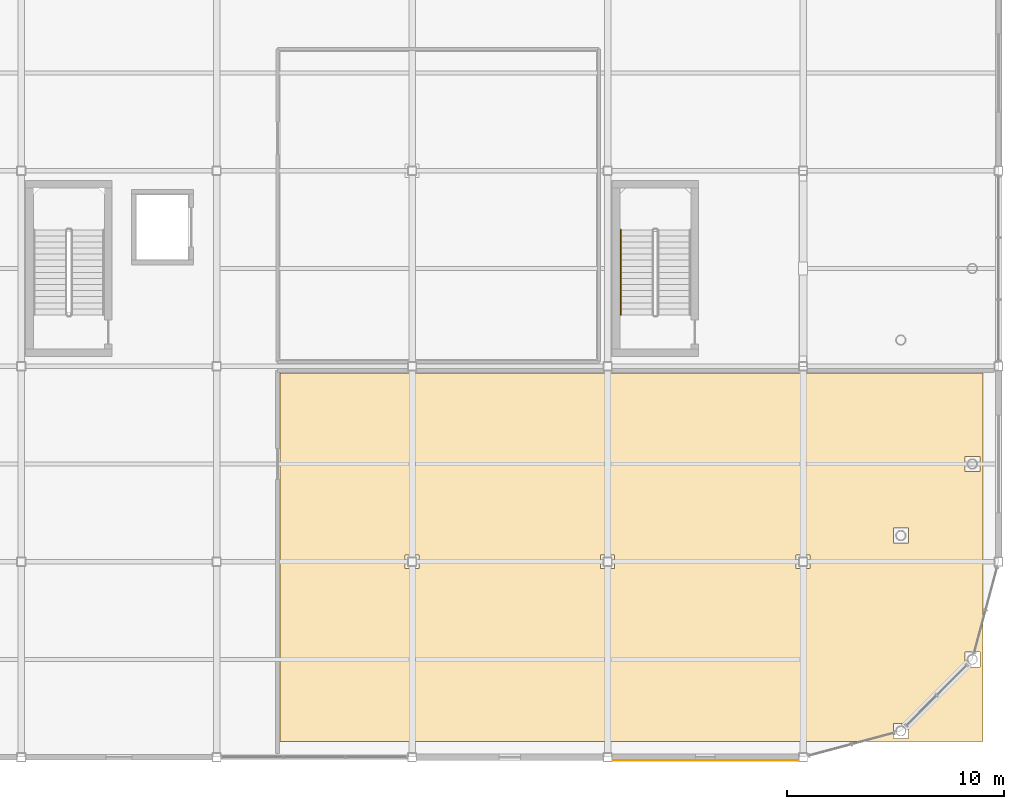
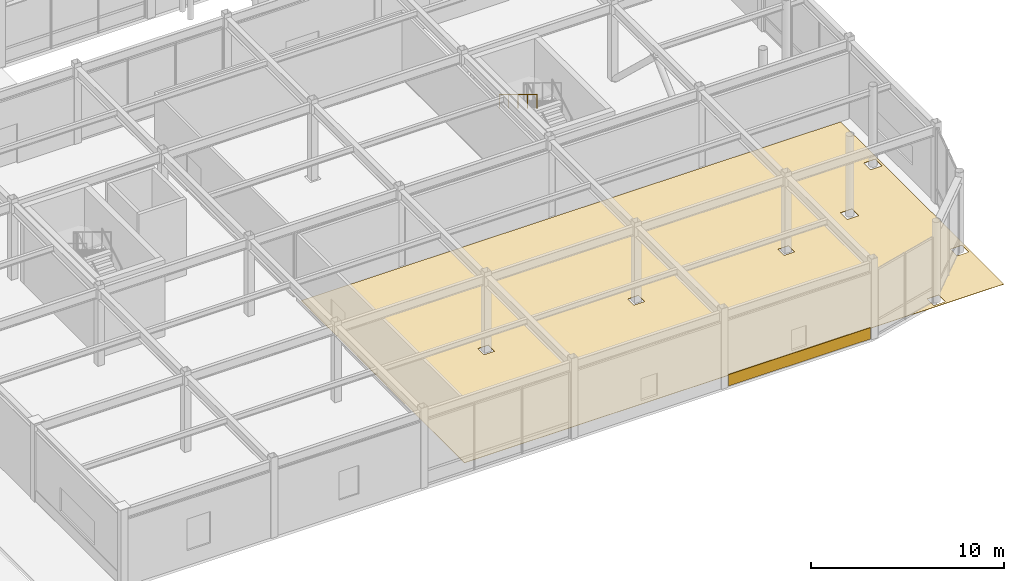
# One storey, part 117 of 123: 2 coverings, 1 railing.
"""IFC4 building model written with IfcOpenShell, lengths in metres."""

from ifc_helpers import new_model, si_unit, direction, frame, origin, origin_2d, place, context, subcontext, project, spatial, polyline, rectangle, circle, outline, extrude, material, layer, layer_set, type_object, element, save


model = new_model("IFC4")

# Units and contexts
model_context = context("Model", 3, precision=1e-05, world=origin(), true_north=direction((0.0, 1.0)))
body_context = subcontext(model_context, "Body", "Model", "MODEL_VIEW")
ifc_project = project(units=[si_unit("LENGTHUNIT", "METRE"), si_unit("AREAUNIT", "SQUARE_METRE"), si_unit("VOLUMEUNIT", "CUBIC_METRE"), si_unit("PLANEANGLEUNIT", "RADIAN"), si_unit("MASSUNIT", "GRAM", prefix="KILO")], contexts=[model_context])

# Site, building, storey
site_placement = place(None, origin())
site = spatial("IfcSite", under=ifc_project, at=site_placement, CompositionType="ELEMENT")
building_placement = place(site_placement, origin())
building = spatial("IfcBuilding", under=site, at=building_placement, Name="Suzunagisa Mobility Hub", CompositionType="ELEMENT")
storey_placement = place(building_placement, origin())
storey = spatial("IfcBuildingStorey", under=building, at=storey_placement, Name="L00", CompositionType="ELEMENT", Elevation=0.0)

# Coverings
ifc_material_1 = material(Name="Polished Aggregate Terrazzo Finish")
ifc_layer_1 = layer(ifc_material_1, 0.02001953125)
ifc_layer_set_1 = layer_set([ifc_layer_1], Name="Polished Aggregate Terrazzo Finish")
covering_type_1 = type_object("IfcCoveringType", Name="Polished Terrazzo Heavy-Traffic Flooring FLR-01", PredefinedType="FLOORING", material=ifc_layer_set_1)
covering_1_placement = place(storey_placement, origin())
element("IfcCovering", 1, at=covering_1_placement, inside=storey, type_object=covering_type_1, Name="L00 Articulated Bus Inspection and Service Bay South Terrazzo Flooring", PredefinedType="FLOORING", context=body_context, shape_type="SweptSolid", body=[
    extrude(outline(polyline([(179.280029296875, 0.719970703125), (146.919921875, 0.719970703125), (146.919921875, 17.679931640625), (152.679931640625, 17.679931640625), (153.320068359375, 17.679931640625), (161.679931640625, 17.679931640625), (162.320068359375, 17.679931640625), (170.679931640625, 17.679931640625), (171.320068359375, 17.679931640625), (179.280029296875, 17.679931640625), (179.280029296875, 0.719970703125)]), holes=[polyline([(153.320068359375, 9.320068359375), (152.679931640625, 9.320068359375), (152.679931640625, 8.679931640625), (153.320068359375, 8.679931640625), (153.320068359375, 9.320068359375)]), polyline([(161.679931640625, 8.679931640625), (162.320068359375, 8.679931640625), (162.320068359375, 9.320068359375), (161.679931640625, 9.320068359375), (161.679931640625, 8.679931640625)]), polyline([(171.320068359375, 9.320068359375), (170.679931640625, 9.320068359375), (170.679931640625, 8.679931640625), (171.320068359375, 8.679931640625), (171.320068359375, 9.320068359375)]), polyline([(175.1513671875, 0.857177734375), (175.8486328125, 0.857177734375), (175.8486328125, 1.554443359375), (175.1513671875, 1.554443359375), (175.1513671875, 0.857177734375)]), polyline([(175.1513671875, 10.554443359375), (175.1513671875, 9.857177734375), (175.8486328125, 9.857177734375), (175.8486328125, 10.554443359375), (175.1513671875, 10.554443359375)]), polyline([(179.142822265625, 4.8486328125), (178.445556640625, 4.8486328125), (178.445556640625, 4.1513671875), (179.142822265625, 4.1513671875), (179.142822265625, 4.8486328125)]), polyline([(179.142822265625, 13.1513671875), (179.142822265625, 13.8486328125), (178.445556640625, 13.8486328125), (178.445556640625, 13.1513671875), (179.142822265625, 13.1513671875)])]), origin(), (0.0, 0.0, 1.0), 0.02001953125),
])
ifc_material_2 = material(Name="Vitreous Porcelain Enamel Aluminum Cladding", Category="aluminium")
ifc_layer_2 = layer(ifc_material_2, 0.034912109375)
ifc_layer_set_2 = layer_set([ifc_layer_2], Name="Vitreous Porcelain Enamel Aluminum Cladding")
covering_type_2 = type_object("IfcCoveringType", Name="Porcelain Enamel Spandrel Cladding Band CLD-01", PredefinedType="CLADDING", material=ifc_layer_set_2)
covering_2_placement = place(storey_placement, frame((166.5, -0.157470703125, 0.06005859375), z_axis=(0.0, 0.0, 1.0), x_axis=(1.0, 0.0, 0.0)))
element("IfcCovering", 2, at=covering_2_placement, inside=storey, type_object=covering_type_2, Name="L00 Porcelain Spandrel Cladding Band CLD-30", PredefinedType="CLADDING", context=body_context, shape_type="SweptSolid", body=[
    extrude(rectangle(XDim=8.5, YDim=0.034912109375, at=origin_2d()), origin(), (0.0, 0.0, 1.0), 0.719970703125),
])

# Railing
ifc_material_3 = material(Name="Stainless Steel SUS304", Category="metal")
railing_type = type_object("IfcRailingType", Name="Tubular Stainless Stair Handrail IHR-01", PredefinedType="HANDRAIL", material=ifc_material_3)
railing_placement = place(storey_placement, frame((162.610107421875, 24.280029296875, 2.719970703125)))
element("IfcRailing", 3, at=railing_placement, inside=storey, type_object=railing_type, Name="L00 ST-10 stair handrail 2", PredefinedType="HANDRAIL", context=body_context, shape_type="SweptSolid", body=[
    extrude(circle(Radius=0.02392578125, at=origin_2d()), frame((0.0, 0.0, 0.8759765625), z_axis=(0.0, -0.854770645689, 0.519005918337), x_axis=(1.0, 0.0, 0.0)), (0.0, 0.0, 1.0), 4.5859375),
    extrude(circle(Radius=0.02099609375, at=origin_2d()), origin(), (0.0, 0.0, 1.0), 0.851806640625),
    extrude(circle(Radius=0.02099609375, at=origin_2d()), frame((0.0, -0.97998046875, 0.594970703125)), (0.0, 0.0, 1.0), 0.851806640625),
    extrude(circle(Radius=0.02099609375, at=origin_2d()), frame((0.0, -1.9599609375, 1.18994140625)), (0.0, 0.0, 1.0), 0.851806640625),
    extrude(circle(Radius=0.02099609375, at=origin_2d()), frame((0.0, -2.93994140625, 1.78515625)), (0.0, 0.0, 1.0), 0.851806640625),
    extrude(circle(Radius=0.02099609375, at=origin_2d()), frame((0.0, -3.919921875, 2.380126953125)), (0.0, 0.0, 1.0), 0.851806640625),
])

save(model, "model.ifc")
